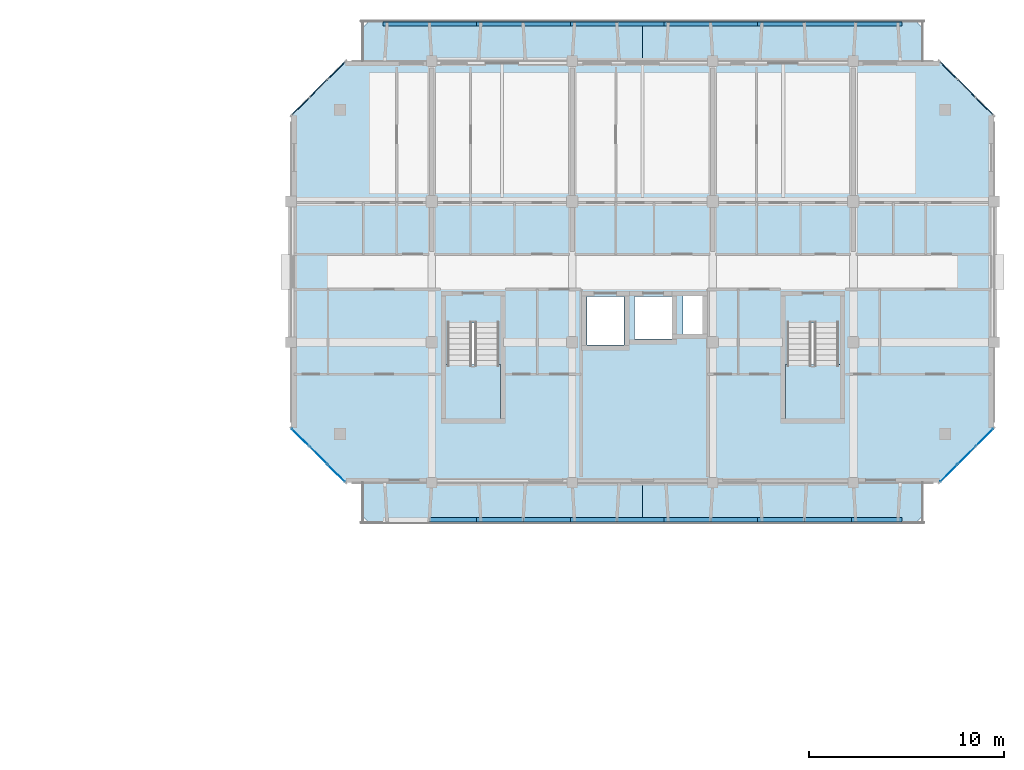
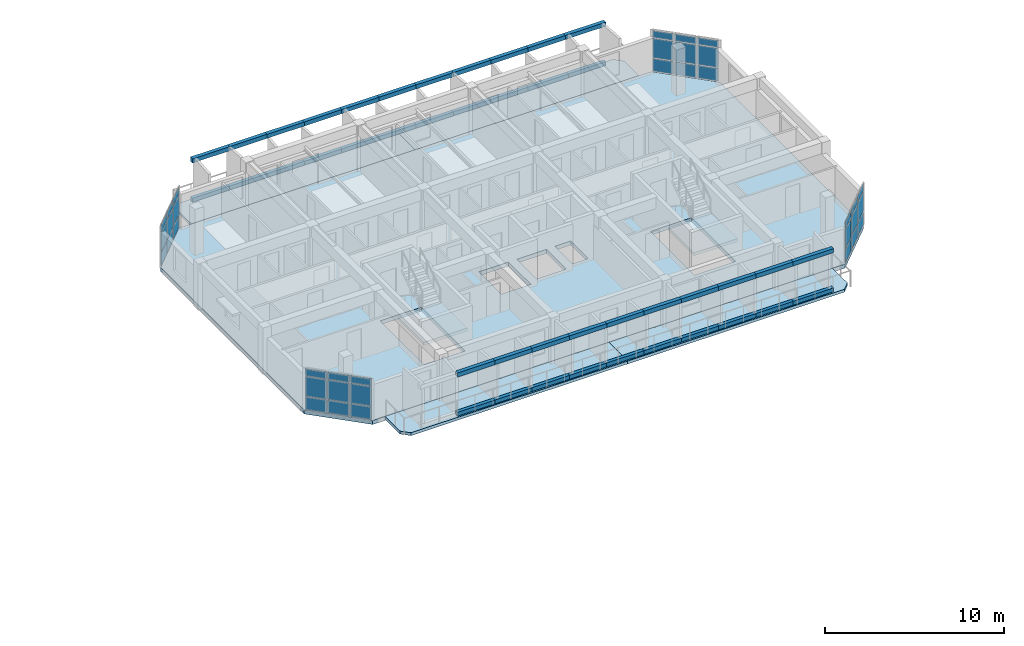
# One storey, part 24 of 64: 78 plates, 7 slabs, 6 elements without a shape of their own.
"""IFC4 building model written with IfcOpenShell, lengths in metres."""

from ifc_helpers import new_model, si_unit, direction, frame, origin, origin_2d, place, context, subcontext, project, spatial, polyline, rectangle, outline, extrude, material, layer, layer_set, type_object, element, aggregate, save


model = new_model("IFC4")

# Units and contexts
model_context = context("Model", 3, precision=1e-05, world=origin(), true_north=direction((0.0, 1.0)))
body_context = subcontext(model_context, "Body", "Model", "MODEL_VIEW")
ifc_project = project(units=[si_unit("LENGTHUNIT", "METRE"), si_unit("AREAUNIT", "SQUARE_METRE"), si_unit("VOLUMEUNIT", "CUBIC_METRE"), si_unit("PLANEANGLEUNIT", "RADIAN"), si_unit("MASSUNIT", "GRAM", prefix="KILO")], contexts=[model_context])

# Site, building, storey
site_placement = place(None, origin())
site = spatial("IfcSite", under=ifc_project, at=site_placement, CompositionType="ELEMENT")
building_placement = place(site_placement, origin())
building = spatial("IfcBuilding", under=site, at=building_placement, Name="Ochrevale Crest", CompositionType="ELEMENT")
storey_placement = place(building_placement, frame((0.0, 0.0, 8.699951171875)))
storey = spatial("IfcBuildingStorey", under=building, at=storey_placement, Name="L02", CompositionType="ELEMENT", Elevation=8.699951171875)

# Curtain wall, plates
ifc_material_1 = material(Name="Anodised aluminium 6063-T5", Category="aluminium")
ifc_layer_1 = layer(ifc_material_1, 0.14990234375)
ifc_layer_set_1 = layer_set([ifc_layer_1], Name="Anodised aluminium 6063-T5")
curtain_wall_type_1 = type_object("IfcCurtainWallType", Name="CW-WG-420x285", PredefinedType="NOTDEFINED", material=ifc_layer_set_1)
curtain_wall_1_placement = place(storey_placement, origin())
curtain_wall_1 = element("IfcCurtainWall", 1, at=curtain_wall_1_placement, inside=storey, type_object=curtain_wall_type_1, Name="Block D L02 chamfered corner wintergarden curtain wall 2", PredefinedType="NOTDEFINED")
ifc_material_2 = material(Name="Double-glazed low-E insulated glass unit", Category="glass")
ifc_layer_2 = layer(ifc_material_2, 0.028076171875)
ifc_layer_set_2 = layer_set([ifc_layer_2], Name="Double-glazed low-E insulated glass unit")
plate_type_1 = type_object("IfcPlateType", Name="CW-PNL-IGU28", PredefinedType="CURTAIN_PANEL", material=ifc_layer_set_2)
plate_1_placement = place(storey_placement, frame((163.280029296875, 72.47998046875, 0.06005859375), z_axis=(0.0, 0.0, 1.0), x_axis=(0.707106781187, 0.707106781187, 0.0)))
plate_1 = element("IfcPlate", 2, at=plate_1_placement, type_object=plate_type_1, Name="CW22 panel 1.1", PredefinedType="CURTAIN_PANEL", context=body_context, shape_type="SweptSolid", body=[
    extrude(rectangle(XDim=1.20751953125, YDim=0.028076171875, at=origin_2d()), origin(), (0.0, 0.0, 1.0), 0.860107421875),
])
plate_2_placement = place(storey_placement, frame((163.280029296875, 72.47998046875, 0.97998046875), z_axis=(0.0, 0.0, 1.0), x_axis=(0.707106781187, 0.707106781187, 0.0)))
plate_2 = element("IfcPlate", 3, at=plate_2_placement, type_object=plate_type_1, Name="CW22 panel 1.2", PredefinedType="CURTAIN_PANEL", context=body_context, shape_type="SweptSolid", body=[
    extrude(rectangle(XDim=1.20751953125, YDim=0.028076171875, at=origin_2d()), origin(), (0.0, 0.0, 1.0), 1.31494140625),
])
plate_3_placement = place(storey_placement, frame((163.280029296875, 72.47998046875, 2.35498046875), z_axis=(0.0, 0.0, 1.0), x_axis=(0.707106781187, 0.707106781187, 0.0)))
plate_3 = element("IfcPlate", 4, at=plate_3_placement, type_object=plate_type_1, Name="CW22 panel 1.3", PredefinedType="CURTAIN_PANEL", context=body_context, shape_type="SweptSolid", body=[
    extrude(rectangle(XDim=1.20751953125, YDim=0.028076171875, at=origin_2d()), origin(), (0.0, 0.0, 1.0), 0.4599609375),
])
plate_4_placement = place(storey_placement, frame((164.199951171875, 73.39990234375, 0.06005859375), z_axis=(0.0, 0.0, 1.0), x_axis=(0.707106781187, 0.707106781187, 0.0)))
plate_4 = element("IfcPlate", 5, at=plate_4_placement, type_object=plate_type_1, Name="CW22 panel 2.1", PredefinedType="CURTAIN_PANEL", context=body_context, shape_type="SweptSolid", body=[
    extrude(rectangle(XDim=1.244873046875, YDim=0.028076171875, at=origin_2d()), origin(), (0.0, 0.0, 1.0), 0.860107421875),
])
plate_5_placement = place(storey_placement, frame((164.199951171875, 73.39990234375, 0.97998046875), z_axis=(0.0, 0.0, 1.0), x_axis=(0.707106781187, 0.707106781187, 0.0)))
plate_5 = element("IfcPlate", 6, at=plate_5_placement, type_object=plate_type_1, Name="CW22 panel 2.2", PredefinedType="CURTAIN_PANEL", context=body_context, shape_type="SweptSolid", body=[
    extrude(rectangle(XDim=1.244873046875, YDim=0.028076171875, at=origin_2d()), origin(), (0.0, 0.0, 1.0), 1.31494140625),
])
plate_6_placement = place(storey_placement, frame((164.199951171875, 73.39990234375, 2.35498046875), z_axis=(0.0, 0.0, 1.0), x_axis=(0.707106781187, 0.707106781187, 0.0)))
plate_6 = element("IfcPlate", 7, at=plate_6_placement, type_object=plate_type_1, Name="CW22 panel 2.3", PredefinedType="CURTAIN_PANEL", context=body_context, shape_type="SweptSolid", body=[
    extrude(rectangle(XDim=1.244873046875, YDim=0.028076171875, at=origin_2d()), origin(), (0.0, 0.0, 1.0), 0.4599609375),
])
plate_7_placement = place(storey_placement, frame((165.1201171875, 74.320068359375, 0.06005859375), z_axis=(0.0, 0.0, 1.0), x_axis=(0.707106781187, 0.707106781187, 0.0)))
plate_7 = element("IfcPlate", 8, at=plate_7_placement, type_object=plate_type_1, Name="CW22 panel 3.1", PredefinedType="CURTAIN_PANEL", context=body_context, shape_type="SweptSolid", body=[
    extrude(rectangle(XDim=1.20751953125, YDim=0.028076171875, at=origin_2d()), origin(), (0.0, 0.0, 1.0), 0.860107421875),
])
plate_8_placement = place(storey_placement, frame((165.1201171875, 74.320068359375, 0.97998046875), z_axis=(0.0, 0.0, 1.0), x_axis=(0.707106781187, 0.707106781187, 0.0)))
plate_8 = element("IfcPlate", 9, at=plate_8_placement, type_object=plate_type_1, Name="CW22 panel 3.2", PredefinedType="CURTAIN_PANEL", context=body_context, shape_type="SweptSolid", body=[
    extrude(rectangle(XDim=1.20751953125, YDim=0.028076171875, at=origin_2d()), origin(), (0.0, 0.0, 1.0), 1.31494140625),
])
plate_9_placement = place(storey_placement, frame((165.1201171875, 74.320068359375, 2.35498046875), z_axis=(0.0, 0.0, 1.0), x_axis=(0.707106781187, 0.707106781187, 0.0)))
plate_9 = element("IfcPlate", 10, at=plate_9_placement, type_object=plate_type_1, Name="CW22 panel 3.3", PredefinedType="CURTAIN_PANEL", context=body_context, shape_type="SweptSolid", body=[
    extrude(rectangle(XDim=1.20751953125, YDim=0.028076171875, at=origin_2d()), origin(), (0.0, 0.0, 1.0), 0.4599609375),
])
aggregate(curtain_wall_1, [plate_1, plate_2, plate_3, plate_4, plate_5, plate_6, plate_7, plate_8, plate_9])

ifc_layer_3 = layer(ifc_material_1, 0.14990234375)
ifc_layer_set_3 = layer_set([ifc_layer_3], Name="Anodised aluminium 6063-T5")
curtain_wall_type_2 = type_object("IfcCurtainWallType", Name="CW-WG-240x285", PredefinedType="NOTDEFINED", material=ifc_layer_set_3)
curtain_wall_2_placement = place(storey_placement, origin())
curtain_wall_2 = element("IfcCurtainWall", 11, at=curtain_wall_2_placement, inside=storey, type_object=curtain_wall_type_2, Name="Block D L02 chamfered corner wintergarden curtain wall 8", PredefinedType="NOTDEFINED")
plate_10_placement = place(storey_placement, frame((130.079833984375, 74.320068359375, 0.06005859375), z_axis=(0.0, 0.0, 1.0), x_axis=(0.707106781187, -0.707106781187, 0.0)))
plate_10 = element("IfcPlate", 12, at=plate_10_placement, type_object=plate_type_1, Name="CW15 panel 1.1", PredefinedType="CURTAIN_PANEL", context=body_context, shape_type="SweptSolid", body=[
    extrude(rectangle(XDim=1.20751953125, YDim=0.028076171875, at=origin_2d()), origin(), (0.0, 0.0, 1.0), 0.860107421875),
])
plate_11_placement = place(storey_placement, frame((130.079833984375, 74.320068359375, 0.97998046875), z_axis=(0.0, 0.0, 1.0), x_axis=(0.707106781187, -0.707106781187, 0.0)))
plate_11 = element("IfcPlate", 13, at=plate_11_placement, type_object=plate_type_1, Name="CW15 panel 1.2", PredefinedType="CURTAIN_PANEL", context=body_context, shape_type="SweptSolid", body=[
    extrude(rectangle(XDim=1.20751953125, YDim=0.028076171875, at=origin_2d()), origin(), (0.0, 0.0, 1.0), 1.31494140625),
])
plate_12_placement = place(storey_placement, frame((130.079833984375, 74.320068359375, 2.35498046875), z_axis=(0.0, 0.0, 1.0), x_axis=(0.707106781187, -0.707106781187, 0.0)))
plate_12 = element("IfcPlate", 14, at=plate_12_placement, type_object=plate_type_1, Name="CW15 panel 1.3", PredefinedType="CURTAIN_PANEL", context=body_context, shape_type="SweptSolid", body=[
    extrude(rectangle(XDim=1.20751953125, YDim=0.028076171875, at=origin_2d()), origin(), (0.0, 0.0, 1.0), 0.4599609375),
])
plate_13_placement = place(storey_placement, frame((131.0, 73.39990234375, 0.06005859375), z_axis=(0.0, 0.0, 1.0), x_axis=(0.707106781187, -0.707106781187, 0.0)))
plate_13 = element("IfcPlate", 15, at=plate_13_placement, type_object=plate_type_1, Name="CW15 panel 2.1", PredefinedType="CURTAIN_PANEL", context=body_context, shape_type="SweptSolid", body=[
    extrude(rectangle(XDim=1.244873046875, YDim=0.028076171875, at=origin_2d()), origin(), (0.0, 0.0, 1.0), 0.860107421875),
])
plate_14_placement = place(storey_placement, frame((131.0, 73.39990234375, 0.97998046875), z_axis=(0.0, 0.0, 1.0), x_axis=(0.707106781187, -0.707106781187, 0.0)))
plate_14 = element("IfcPlate", 16, at=plate_14_placement, type_object=plate_type_1, Name="CW15 panel 2.2", PredefinedType="CURTAIN_PANEL", context=body_context, shape_type="SweptSolid", body=[
    extrude(rectangle(XDim=1.244873046875, YDim=0.028076171875, at=origin_2d()), origin(), (0.0, 0.0, 1.0), 1.31494140625),
])
plate_15_placement = place(storey_placement, frame((131.0, 73.39990234375, 2.35498046875), z_axis=(0.0, 0.0, 1.0), x_axis=(0.707106781187, -0.707106781187, 0.0)))
plate_15 = element("IfcPlate", 17, at=plate_15_placement, type_object=plate_type_1, Name="CW15 panel 2.3", PredefinedType="CURTAIN_PANEL", context=body_context, shape_type="SweptSolid", body=[
    extrude(rectangle(XDim=1.244873046875, YDim=0.028076171875, at=origin_2d()), origin(), (0.0, 0.0, 1.0), 0.4599609375),
])
plate_16_placement = place(storey_placement, frame((131.920166015625, 72.47998046875, 0.06005859375), z_axis=(0.0, 0.0, 1.0), x_axis=(0.707106781187, -0.707106781187, 0.0)))
plate_16 = element("IfcPlate", 18, at=plate_16_placement, type_object=plate_type_1, Name="CW15 panel 3.1", PredefinedType="CURTAIN_PANEL", context=body_context, shape_type="SweptSolid", body=[
    extrude(rectangle(XDim=1.20751953125, YDim=0.028076171875, at=origin_2d()), origin(), (0.0, 0.0, 1.0), 0.860107421875),
])
plate_17_placement = place(storey_placement, frame((131.920166015625, 72.47998046875, 0.97998046875), z_axis=(0.0, 0.0, 1.0), x_axis=(0.707106781187, -0.707106781187, 0.0)))
plate_17 = element("IfcPlate", 19, at=plate_17_placement, type_object=plate_type_1, Name="CW15 panel 3.2", PredefinedType="CURTAIN_PANEL", context=body_context, shape_type="SweptSolid", body=[
    extrude(rectangle(XDim=1.20751953125, YDim=0.028076171875, at=origin_2d()), origin(), (0.0, 0.0, 1.0), 1.31494140625),
])
plate_18_placement = place(storey_placement, frame((131.920166015625, 72.47998046875, 2.35498046875), z_axis=(0.0, 0.0, 1.0), x_axis=(0.707106781187, -0.707106781187, 0.0)))
plate_18 = element("IfcPlate", 20, at=plate_18_placement, type_object=plate_type_1, Name="CW15 panel 3.3", PredefinedType="CURTAIN_PANEL", context=body_context, shape_type="SweptSolid", body=[
    extrude(rectangle(XDim=1.20751953125, YDim=0.028076171875, at=origin_2d()), origin(), (0.0, 0.0, 1.0), 0.4599609375),
])
aggregate(curtain_wall_2, [plate_10, plate_11, plate_12, plate_13, plate_14, plate_15, plate_16, plate_17, plate_18])

ifc_layer_4 = layer(ifc_material_1, 0.14990234375)
ifc_layer_set_4 = layer_set([ifc_layer_4], Name="Anodised aluminium 6063-T5")
curtain_wall_type_3 = type_object("IfcCurtainWallType", Name="CW-WG-280x285", PredefinedType="NOTDEFINED", material=ifc_layer_set_4)
curtain_wall_3_placement = place(storey_placement, origin())
curtain_wall_3 = element("IfcCurtainWall", 21, at=curtain_wall_3_placement, inside=storey, type_object=curtain_wall_type_3, Name="Block D L02 chamfered corner wintergarden curtain wall 4", PredefinedType="NOTDEFINED")
ifc_material_3 = material(Name="Acoustic laminated low-E insulated glass unit", Category="glass")
ifc_layer_5 = layer(ifc_material_3, 0.0380859375)
ifc_layer_set_5 = layer_set([ifc_layer_5], Name="Acoustic laminated low-E insulated glass unit")
plate_type_2 = type_object("IfcPlateType", Name="CW-PNL-IGU38", PredefinedType="CURTAIN_PANEL", material=ifc_layer_set_5)
plate_19_placement = place(storey_placement, frame((165.1201171875, 91.280029296875, 0.06005859375), z_axis=(0.0, 0.0, 1.0), x_axis=(-0.707106781187, 0.707106781187, 0.0)))
plate_19 = element("IfcPlate", 22, at=plate_19_placement, type_object=plate_type_2, Name="CW16 panel 1.1", PredefinedType="CURTAIN_PANEL", context=body_context, shape_type="SweptSolid", body=[
    extrude(rectangle(XDim=1.20751953125, YDim=0.0380859375, at=origin_2d()), origin(), (0.0, 0.0, 1.0), 0.860107421875),
])
plate_20_placement = place(storey_placement, frame((165.1201171875, 91.280029296875, 0.97998046875), z_axis=(0.0, 0.0, 1.0), x_axis=(-0.707106781187, 0.707106781187, 0.0)))
plate_20 = element("IfcPlate", 23, at=plate_20_placement, type_object=plate_type_2, Name="CW16 panel 1.2", PredefinedType="CURTAIN_PANEL", context=body_context, shape_type="SweptSolid", body=[
    extrude(rectangle(XDim=1.20751953125, YDim=0.0380859375, at=origin_2d()), origin(), (0.0, 0.0, 1.0), 1.31494140625),
])
plate_21_placement = place(storey_placement, frame((165.1201171875, 91.280029296875, 2.35498046875), z_axis=(0.0, 0.0, 1.0), x_axis=(-0.707106781187, 0.707106781187, 0.0)))
plate_21 = element("IfcPlate", 24, at=plate_21_placement, type_object=plate_type_2, Name="CW16 panel 1.3", PredefinedType="CURTAIN_PANEL", context=body_context, shape_type="SweptSolid", body=[
    extrude(rectangle(XDim=1.20751953125, YDim=0.0380859375, at=origin_2d()), origin(), (0.0, 0.0, 1.0), 0.4599609375),
])
plate_22_placement = place(storey_placement, frame((164.199951171875, 92.199951171875, 0.06005859375), z_axis=(0.0, 0.0, 1.0), x_axis=(-0.707106781187, 0.707106781187, 0.0)))
plate_22 = element("IfcPlate", 25, at=plate_22_placement, type_object=plate_type_2, Name="CW16 panel 2.1", PredefinedType="CURTAIN_PANEL", context=body_context, shape_type="SweptSolid", body=[
    extrude(rectangle(XDim=1.244873046875, YDim=0.0380859375, at=origin_2d()), origin(), (0.0, 0.0, 1.0), 0.860107421875),
])
plate_23_placement = place(storey_placement, frame((164.199951171875, 92.199951171875, 0.97998046875), z_axis=(0.0, 0.0, 1.0), x_axis=(-0.707106781187, 0.707106781187, 0.0)))
plate_23 = element("IfcPlate", 26, at=plate_23_placement, type_object=plate_type_2, Name="CW16 panel 2.2", PredefinedType="CURTAIN_PANEL", context=body_context, shape_type="SweptSolid", body=[
    extrude(rectangle(XDim=1.244873046875, YDim=0.0380859375, at=origin_2d()), origin(), (0.0, 0.0, 1.0), 1.31494140625),
])
plate_24_placement = place(storey_placement, frame((164.199951171875, 92.199951171875, 2.35498046875), z_axis=(0.0, 0.0, 1.0), x_axis=(-0.707106781187, 0.707106781187, 0.0)))
plate_24 = element("IfcPlate", 27, at=plate_24_placement, type_object=plate_type_2, Name="CW16 panel 2.3", PredefinedType="CURTAIN_PANEL", context=body_context, shape_type="SweptSolid", body=[
    extrude(rectangle(XDim=1.244873046875, YDim=0.0380859375, at=origin_2d()), origin(), (0.0, 0.0, 1.0), 0.4599609375),
])
plate_25_placement = place(storey_placement, frame((163.280029296875, 93.1201171875, 0.06005859375), z_axis=(0.0, 0.0, 1.0), x_axis=(-0.707106781187, 0.707106781187, 0.0)))
plate_25 = element("IfcPlate", 28, at=plate_25_placement, type_object=plate_type_2, Name="CW16 panel 3.1", PredefinedType="CURTAIN_PANEL", context=body_context, shape_type="SweptSolid", body=[
    extrude(rectangle(XDim=1.20751953125, YDim=0.0380859375, at=origin_2d()), origin(), (0.0, 0.0, 1.0), 0.860107421875),
])
plate_26_placement = place(storey_placement, frame((163.280029296875, 93.1201171875, 0.97998046875), z_axis=(0.0, 0.0, 1.0), x_axis=(-0.707106781187, 0.707106781187, 0.0)))
plate_26 = element("IfcPlate", 29, at=plate_26_placement, type_object=plate_type_2, Name="CW16 panel 3.2", PredefinedType="CURTAIN_PANEL", context=body_context, shape_type="SweptSolid", body=[
    extrude(rectangle(XDim=1.20751953125, YDim=0.0380859375, at=origin_2d()), origin(), (0.0, 0.0, 1.0), 1.31494140625),
])
plate_27_placement = place(storey_placement, frame((163.280029296875, 93.1201171875, 2.35498046875), z_axis=(0.0, 0.0, 1.0), x_axis=(-0.707106781187, 0.707106781187, 0.0)))
plate_27 = element("IfcPlate", 30, at=plate_27_placement, type_object=plate_type_2, Name="CW16 panel 3.3", PredefinedType="CURTAIN_PANEL", context=body_context, shape_type="SweptSolid", body=[
    extrude(rectangle(XDim=1.20751953125, YDim=0.0380859375, at=origin_2d()), origin(), (0.0, 0.0, 1.0), 0.4599609375),
])
aggregate(curtain_wall_3, [plate_19, plate_20, plate_21, plate_22, plate_23, plate_24, plate_25, plate_26, plate_27])

ifc_layer_6 = layer(ifc_material_1, 0.14990234375)
ifc_layer_set_6 = layer_set([ifc_layer_6], Name="Anodised aluminium 6063-T5")
curtain_wall_type_4 = type_object("IfcCurtainWallType", Name="CW-WG-360x285", PredefinedType="NOTDEFINED", material=ifc_layer_set_6)
curtain_wall_4_placement = place(storey_placement, origin())
curtain_wall_4 = element("IfcCurtainWall", 31, at=curtain_wall_4_placement, inside=storey, type_object=curtain_wall_type_4, Name="Block D L02 chamfered corner wintergarden curtain wall 6", PredefinedType="NOTDEFINED")
plate_28_placement = place(storey_placement, frame((131.920166015625, 93.1201171875, 0.06005859375), z_axis=(0.0, 0.0, 1.0), x_axis=(-0.707106781187, -0.707106781187, 0.0)))
plate_28 = element("IfcPlate", 32, at=plate_28_placement, type_object=plate_type_2, Name="CW18 panel 1.1", PredefinedType="CURTAIN_PANEL", context=body_context, shape_type="SweptSolid", body=[
    extrude(rectangle(XDim=1.20751953125, YDim=0.0380859375, at=origin_2d()), origin(), (0.0, 0.0, 1.0), 0.860107421875),
])
plate_29_placement = place(storey_placement, frame((131.920166015625, 93.1201171875, 0.97998046875), z_axis=(0.0, 0.0, 1.0), x_axis=(-0.707106781187, -0.707106781187, 0.0)))
plate_29 = element("IfcPlate", 33, at=plate_29_placement, type_object=plate_type_2, Name="CW18 panel 1.2", PredefinedType="CURTAIN_PANEL", context=body_context, shape_type="SweptSolid", body=[
    extrude(rectangle(XDim=1.20751953125, YDim=0.0380859375, at=origin_2d()), origin(), (0.0, 0.0, 1.0), 1.31494140625),
])
plate_30_placement = place(storey_placement, frame((131.920166015625, 93.1201171875, 2.35498046875), z_axis=(0.0, 0.0, 1.0), x_axis=(-0.707106781187, -0.707106781187, 0.0)))
plate_30 = element("IfcPlate", 34, at=plate_30_placement, type_object=plate_type_2, Name="CW18 panel 1.3", PredefinedType="CURTAIN_PANEL", context=body_context, shape_type="SweptSolid", body=[
    extrude(rectangle(XDim=1.20751953125, YDim=0.0380859375, at=origin_2d()), origin(), (0.0, 0.0, 1.0), 0.4599609375),
])
plate_31_placement = place(storey_placement, frame((131.0, 92.199951171875, 0.06005859375), z_axis=(0.0, 0.0, 1.0), x_axis=(-0.707106781187, -0.707106781187, 0.0)))
plate_31 = element("IfcPlate", 35, at=plate_31_placement, type_object=plate_type_2, Name="CW18 panel 2.1", PredefinedType="CURTAIN_PANEL", context=body_context, shape_type="SweptSolid", body=[
    extrude(rectangle(XDim=1.244873046875, YDim=0.0380859375, at=origin_2d()), origin(), (0.0, 0.0, 1.0), 0.860107421875),
])
plate_32_placement = place(storey_placement, frame((131.0, 92.199951171875, 0.97998046875), z_axis=(0.0, 0.0, 1.0), x_axis=(-0.707106781187, -0.707106781187, 0.0)))
plate_32 = element("IfcPlate", 36, at=plate_32_placement, type_object=plate_type_2, Name="CW18 panel 2.2", PredefinedType="CURTAIN_PANEL", context=body_context, shape_type="SweptSolid", body=[
    extrude(rectangle(XDim=1.244873046875, YDim=0.0380859375, at=origin_2d()), origin(), (0.0, 0.0, 1.0), 1.31494140625),
])
plate_33_placement = place(storey_placement, frame((131.0, 92.199951171875, 2.35498046875), z_axis=(0.0, 0.0, 1.0), x_axis=(-0.707106781187, -0.707106781187, 0.0)))
plate_33 = element("IfcPlate", 37, at=plate_33_placement, type_object=plate_type_2, Name="CW18 panel 2.3", PredefinedType="CURTAIN_PANEL", context=body_context, shape_type="SweptSolid", body=[
    extrude(rectangle(XDim=1.244873046875, YDim=0.0380859375, at=origin_2d()), origin(), (0.0, 0.0, 1.0), 0.4599609375),
])
plate_34_placement = place(storey_placement, frame((130.079833984375, 91.280029296875, 0.06005859375), z_axis=(0.0, 0.0, 1.0), x_axis=(-0.707106781187, -0.707106781187, 0.0)))
plate_34 = element("IfcPlate", 38, at=plate_34_placement, type_object=plate_type_2, Name="CW18 panel 3.1", PredefinedType="CURTAIN_PANEL", context=body_context, shape_type="SweptSolid", body=[
    extrude(rectangle(XDim=1.20751953125, YDim=0.0380859375, at=origin_2d()), origin(), (0.0, 0.0, 1.0), 0.860107421875),
])
plate_35_placement = place(storey_placement, frame((130.079833984375, 91.280029296875, 0.97998046875), z_axis=(0.0, 0.0, 1.0), x_axis=(-0.707106781187, -0.707106781187, 0.0)))
plate_35 = element("IfcPlate", 39, at=plate_35_placement, type_object=plate_type_2, Name="CW18 panel 3.2", PredefinedType="CURTAIN_PANEL", context=body_context, shape_type="SweptSolid", body=[
    extrude(rectangle(XDim=1.20751953125, YDim=0.0380859375, at=origin_2d()), origin(), (0.0, 0.0, 1.0), 1.31494140625),
])
plate_36_placement = place(storey_placement, frame((130.079833984375, 91.280029296875, 2.35498046875), z_axis=(0.0, 0.0, 1.0), x_axis=(-0.707106781187, -0.707106781187, 0.0)))
plate_36 = element("IfcPlate", 40, at=plate_36_placement, type_object=plate_type_2, Name="CW18 panel 3.3", PredefinedType="CURTAIN_PANEL", context=body_context, shape_type="SweptSolid", body=[
    extrude(rectangle(XDim=1.20751953125, YDim=0.0380859375, at=origin_2d()), origin(), (0.0, 0.0, 1.0), 0.4599609375),
])
aggregate(curtain_wall_4, [plate_28, plate_29, plate_30, plate_31, plate_32, plate_33, plate_34, plate_35, plate_36])

# Plates
ifc_material_4 = material(Name="Precast concrete C40/50", Category="concrete")
ifc_layer_7 = layer(ifc_material_4, 0.06005859375)
ifc_layer_set_7 = layer_set([ifc_layer_7], Name="Precast concrete C40/50")
plate_type_3 = type_object("IfcPlateType", Name="PLT-HC-HEAD-60", PredefinedType="USERDEFINED", material=ifc_layer_set_7)
for number, where, z_axis, x_axis, name in (
    (41, (138.0, 70.10009765625, 2.669921875), (0.0, 0.0, 1.0), (1.0, 0.0, 0.0), "Block D L02 S honeycomb arched lintel fascia 2"),
    (42, (140.39990234375, 70.10009765625, 2.669921875), (0.0, 0.0, 1.0), (1.0, 0.0, 0.0), "Block D L02 S honeycomb arched lintel fascia 3"),
    (43, (142.800048828125, 70.10009765625, 2.669921875), (0.0, 0.0, 1.0), (1.0, 0.0, 0.0), "Block D L02 S honeycomb arched lintel fascia 4"),
    (44, (145.199951171875, 70.10009765625, 2.669921875), (0.0, 0.0, 1.0), (1.0, 0.0, 0.0), "Block D L02 S honeycomb arched lintel fascia 5"),
    (45, (147.60009765625, 70.10009765625, 2.669921875), (0.0, 0.0, 1.0), (1.0, 0.0, 0.0), "Block D L02 S honeycomb arched lintel fascia 6"),
    (46, (150.0, 70.10009765625, 2.669921875), (0.0, 0.0, 1.0), (1.0, 0.0, 0.0), "Block D L02 S honeycomb arched lintel fascia 7"),
    (47, (152.39990234375, 70.10009765625, 2.669921875), (0.0, 0.0, 1.0), (1.0, 0.0, 0.0), "Block D L02 S honeycomb arched lintel fascia 8"),
    (48, (154.800048828125, 70.10009765625, 2.669921875), (0.0, 0.0, 1.0), (1.0, 0.0, 0.0), "Block D L02 S honeycomb arched lintel fascia 9"),
    (49, (157.199951171875, 70.10009765625, 2.669921875), (0.0, 0.0, 1.0), (1.0, 0.0, 0.0), "Block D L02 S honeycomb arched lintel fascia 10"),
    (50, (159.60009765625, 70.10009765625, 2.669921875), (0.0, 0.0, 1.0), (1.0, 0.0, 0.0), "Block D L02 S honeycomb arched lintel fascia 11"),
    (51, (135.60009765625, 95.5, 2.669921875), (0.0, 0.0, 1.0), (1.0, 0.0, 0.0), "Block D L02 N honeycomb arched lintel fascia 1"),
    (52, (138.0, 95.5, 2.669921875), (0.0, 0.0, 1.0), (1.0, 0.0, 0.0), "Block D L02 N honeycomb arched lintel fascia 2"),
    (53, (140.39990234375, 95.5, 2.669921875), (0.0, 0.0, 1.0), (1.0, 0.0, 0.0), "Block D L02 N honeycomb arched lintel fascia 3"),
    (54, (142.800048828125, 95.5, 2.669921875), (0.0, 0.0, 1.0), (1.0, 0.0, 0.0), "Block D L02 N honeycomb arched lintel fascia 4"),
    (55, (145.199951171875, 95.5, 2.669921875), (0.0, 0.0, 1.0), (1.0, 0.0, 0.0), "Block D L02 N honeycomb arched lintel fascia 5"),
    (56, (147.60009765625, 95.5, 2.669921875), (0.0, 0.0, 1.0), (1.0, 0.0, 0.0), "Block D L02 N honeycomb arched lintel fascia 6"),
    (57, (150.0, 95.5, 2.669921875), (0.0, 0.0, 1.0), (1.0, 0.0, 0.0), "Block D L02 N honeycomb arched lintel fascia 7"),
    (58, (152.39990234375, 95.5, 2.669921875), (0.0, 0.0, 1.0), (1.0, 0.0, 0.0), "Block D L02 N honeycomb arched lintel fascia 8"),
    (59, (154.800048828125, 95.5, 2.669921875), (0.0, 0.0, 1.0), (1.0, 0.0, 0.0), "Block D L02 N honeycomb arched lintel fascia 9"),
    (60, (157.199951171875, 95.5, 2.669921875), (0.0, 0.0, 1.0), (1.0, 0.0, 0.0), "Block D L02 N honeycomb arched lintel fascia 10"),
    (61, (159.60009765625, 95.5, 2.669921875), (0.0, 0.0, 1.0), (1.0, 0.0, 0.0), "Block D L02 N honeycomb arched lintel fascia 11"),
):
    element("IfcPlate", number, at=place(storey_placement, frame(where, z_axis=z_axis, x_axis=x_axis)), inside=storey, type_object=plate_type_3, Name=name, ObjectType="FACADE FASCIA PLATE", PredefinedType="USERDEFINED", context=body_context, shape_type="SweptSolid", body=[
        extrude(rectangle(XDim=2.60009765625, YDim=0.239990234375, at=origin_2d()), origin(), (0.0, 0.0, 1.0), 0.280029296875),
    ])
ifc_layer_8 = layer(ifc_material_4, 0.044921875)
ifc_layer_set_8 = layer_set([ifc_layer_8], Name="Precast concrete C40/50")
plate_type_4 = type_object("IfcPlateType", Name="PLT-HC-SILL-45", PredefinedType="USERDEFINED", material=ifc_layer_set_8)
for number, where, z_axis, x_axis, name in (
    (62, (138.0, 70.10009765625, 0.0), (0.0, 0.0, 1.0), (1.0, 0.0, 0.0), "Block D L02 S honeycomb sill coping plate 2"),
    (63, (140.39990234375, 70.10009765625, 0.0), (0.0, 0.0, 1.0), (1.0, 0.0, 0.0), "Block D L02 S honeycomb sill coping plate 3"),
    (64, (142.800048828125, 70.10009765625, 0.0), (0.0, 0.0, 1.0), (1.0, 0.0, 0.0), "Block D L02 S honeycomb sill coping plate 4"),
    (65, (145.199951171875, 70.10009765625, 0.0), (0.0, 0.0, 1.0), (1.0, 0.0, 0.0), "Block D L02 S honeycomb sill coping plate 5"),
    (66, (147.60009765625, 70.10009765625, 0.0), (0.0, 0.0, 1.0), (1.0, 0.0, 0.0), "Block D L02 S honeycomb sill coping plate 6"),
    (67, (150.0, 70.10009765625, 0.0), (0.0, 0.0, 1.0), (1.0, 0.0, 0.0), "Block D L02 S honeycomb sill coping plate 7"),
    (68, (152.39990234375, 70.10009765625, 0.0), (0.0, 0.0, 1.0), (1.0, 0.0, 0.0), "Block D L02 S honeycomb sill coping plate 8"),
    (69, (154.800048828125, 70.10009765625, 0.0), (0.0, 0.0, 1.0), (1.0, 0.0, 0.0), "Block D L02 S honeycomb sill coping plate 9"),
    (70, (157.199951171875, 70.10009765625, 0.0), (0.0, 0.0, 1.0), (1.0, 0.0, 0.0), "Block D L02 S honeycomb sill coping plate 10"),
    (71, (159.60009765625, 70.10009765625, 0.0), (0.0, 0.0, 1.0), (1.0, 0.0, 0.0), "Block D L02 S honeycomb sill coping plate 11"),
    (72, (135.60009765625, 95.5, 0.0), (0.0, 0.0, 1.0), (1.0, 0.0, 0.0), "Block D L02 N honeycomb sill coping plate 1"),
    (73, (138.0, 95.5, 0.0), (0.0, 0.0, 1.0), (1.0, 0.0, 0.0), "Block D L02 N honeycomb sill coping plate 2"),
    (74, (140.39990234375, 95.5, 0.0), (0.0, 0.0, 1.0), (1.0, 0.0, 0.0), "Block D L02 N honeycomb sill coping plate 3"),
    (75, (142.800048828125, 95.5, 0.0), (0.0, 0.0, 1.0), (1.0, 0.0, 0.0), "Block D L02 N honeycomb sill coping plate 4"),
    (76, (145.199951171875, 95.5, 0.0), (0.0, 0.0, 1.0), (1.0, 0.0, 0.0), "Block D L02 N honeycomb sill coping plate 5"),
    (77, (147.60009765625, 95.5, 0.0), (0.0, 0.0, 1.0), (1.0, 0.0, 0.0), "Block D L02 N honeycomb sill coping plate 6"),
    (78, (150.0, 95.5, 0.0), (0.0, 0.0, 1.0), (1.0, 0.0, 0.0), "Block D L02 N honeycomb sill coping plate 7"),
    (79, (152.39990234375, 95.5, 0.0), (0.0, 0.0, 1.0), (1.0, 0.0, 0.0), "Block D L02 N honeycomb sill coping plate 8"),
    (80, (154.800048828125, 95.5, 0.0), (0.0, 0.0, 1.0), (1.0, 0.0, 0.0), "Block D L02 N honeycomb sill coping plate 9"),
    (81, (157.199951171875, 95.5, 0.0), (0.0, 0.0, 1.0), (1.0, 0.0, 0.0), "Block D L02 N honeycomb sill coping plate 10"),
    (82, (159.60009765625, 95.5, 0.0), (0.0, 0.0, 1.0), (1.0, 0.0, 0.0), "Block D L02 N honeycomb sill coping plate 11"),
):
    element("IfcPlate", number, at=place(storey_placement, frame(where, z_axis=z_axis, x_axis=x_axis)), inside=storey, type_object=plate_type_4, Name=name, ObjectType="SILL COPING PLATE", PredefinedType="USERDEFINED", context=body_context, shape_type="SweptSolid", body=[
        extrude(rectangle(XDim=2.60009765625, YDim=0.219970703125, at=origin_2d()), origin(), (0.0, 0.0, 1.0), 0.260009765625),
    ])

# Slabs
ifc_layer_9 = layer(ifc_material_4, 0.199951171875)
ifc_layer_set_9 = layer_set([ifc_layer_9], Name="Precast concrete C40/50")
slab_type_1 = type_object("IfcSlabType", Name="SLB-BAL-200", PredefinedType="FLOOR", material=ifc_layer_set_9)
slab_1_placement = place(storey_placement, frame((0.0, 0.0, -0.199951171875)))
element("IfcSlab", 83, at=slab_1_placement, inside=storey, type_object=slab_type_1, Name="Block D L02 S1 precast loggia balcony slab", PredefinedType="FLOOR", context=body_context, shape_type="SweptSolid", body=[
    extrude(outline(polyline([(133.64990234375, 69.89990234375), (147.60009765625, 69.89990234375), (147.60009765625, 72.0), (133.199951171875, 72.0), (133.199951171875, 70.35009765625), (133.64990234375, 69.89990234375)])), origin(), (0.0, 0.0, 1.0), 0.199951171875),
])
slab_2_placement = place(storey_placement, frame((0.0, 0.0, -0.199951171875)))
element("IfcSlab", 84, at=slab_2_placement, inside=storey, type_object=slab_type_1, Name="Block D L02 S2 precast loggia balcony slab", PredefinedType="FLOOR", context=body_context, shape_type="SweptSolid", body=[
    extrude(outline(polyline([(147.60009765625, 69.89990234375), (161.550048828125, 69.89990234375), (162.0, 70.35009765625), (162.0, 72.0), (147.60009765625, 72.0), (147.60009765625, 69.89990234375)])), origin(), (0.0, 0.0, 1.0), 0.199951171875),
])
slab_3_placement = place(storey_placement, frame((0.0, 0.0, -0.199951171875)))
element("IfcSlab", 85, at=slab_3_placement, inside=storey, type_object=slab_type_1, Name="Block D L02 N1 precast loggia balcony slab", PredefinedType="FLOOR", context=body_context, shape_type="SweptSolid", body=[
    extrude(outline(polyline([(133.199951171875, 93.60009765625), (147.60009765625, 93.60009765625), (147.60009765625, 95.699951171875), (133.64990234375, 95.699951171875), (133.199951171875, 95.25), (133.199951171875, 93.60009765625)])), origin(), (0.0, 0.0, 1.0), 0.199951171875),
])
slab_4_placement = place(storey_placement, frame((0.0, 0.0, -0.199951171875)))
element("IfcSlab", 86, at=slab_4_placement, inside=storey, type_object=slab_type_1, Name="Block D L02 N2 precast loggia balcony slab", PredefinedType="FLOOR", context=body_context, shape_type="SweptSolid", body=[
    extrude(outline(polyline([(147.60009765625, 93.60009765625), (162.0, 93.60009765625), (162.0, 95.25), (161.550048828125, 95.699951171875), (147.60009765625, 95.699951171875), (147.60009765625, 93.60009765625)])), origin(), (0.0, 0.0, 1.0), 0.199951171875),
])
ifc_layer_10 = layer(ifc_material_4, 0.27490234375)
ifc_layer_set_10 = layer_set([ifc_layer_10], Name="Precast concrete C40/50")
slab_type_2 = type_object("IfcSlabType", Name="SLB-RES-275", PredefinedType="FLOOR", material=ifc_layer_set_10)
slab_5_placement = place(storey_placement, frame((0.0, 0.0, -0.27490234375)))
element("IfcSlab", 87, at=slab_5_placement, inside=storey, type_object=slab_type_2, Name="Block D L02 composite hollowcore floor slab", PredefinedType="FLOOR", context=body_context, shape_type="SweptSolid", body=[
    extrude(outline(polyline([(132.39990234375, 72.0), (162.800048828125, 72.0), (165.60009765625, 74.800048828125), (165.60009765625, 90.800048828125), (162.800048828125, 93.60009765625), (132.39990234375, 93.60009765625), (129.60009765625, 90.800048828125), (129.60009765625, 74.800048828125), (132.39990234375, 72.0)]), holes=[polyline([(137.60009765625, 80.175048828125), (137.60009765625, 75.27490234375), (140.25, 75.27490234375), (140.25, 80.175048828125), (137.60009765625, 80.175048828125)]), polyline([(155.0, 80.175048828125), (155.0, 75.27490234375), (157.64990234375, 75.27490234375), (157.64990234375, 80.175048828125), (155.0, 80.175048828125)]), polyline([(144.75, 79.050048828125), (146.64990234375, 79.050048828125), (146.64990234375, 81.550048828125), (144.75, 81.550048828125), (144.75, 79.050048828125)]), polyline([(147.199951171875, 79.35009765625), (149.10009765625, 79.35009765625), (149.10009765625, 81.550048828125), (147.199951171875, 81.550048828125), (147.199951171875, 79.35009765625)]), polyline([(149.669921875, 79.6201171875), (150.679931640625, 79.6201171875), (150.679931640625, 81.580078125), (149.669921875, 81.580078125), (149.669921875, 79.6201171875)])]), origin(), (0.0, 0.0, 1.0), 0.27490234375),
])

# Stair, slab
stair_type = type_object("IfcStairType", Name="ST-CORE-DOG", PredefinedType="HALF_TURN_STAIR", material=ifc_material_4)
stair_1_placement = place(storey_placement, origin())
stair_1 = element("IfcStair", 88, at=stair_1_placement, inside=storey, type_object=stair_type, Name="L02 Block D Fire Stair 1", PredefinedType="HALF_TURN_STAIR")
ifc_layer_11 = layer(ifc_material_4, 0.199951171875)
ifc_layer_set_11 = layer_set([ifc_layer_11], Name="Precast concrete C40/50")
slab_type_3 = type_object("IfcSlabType", Name="SLB-ST-LAND", PredefinedType="LANDING", material=ifc_layer_set_11)
slab_6_placement = place(storey_placement, frame((0.0, 0.0, 1.375)))
slab_6 = element("IfcSlab", 89, at=slab_6_placement, type_object=slab_type_3, Name="ST-D1 landing 1", PredefinedType="LANDING", context=body_context, shape_type="SweptSolid", body=[
    extrude(outline(polyline([(137.52001953125, 78.06494140625), (137.52001953125, 75.195068359375), (140.330078125, 75.195068359375), (140.330078125, 78.06494140625), (137.52001953125, 78.06494140625)])), origin(), (0.0, 0.0, 1.0), 0.199951171875),
])
aggregate(stair_1, [slab_6])

stair_2_placement = place(storey_placement, origin())
stair_2 = element("IfcStair", 90, at=stair_2_placement, inside=storey, type_object=stair_type, Name="L02 Block D Fire Stair 2", PredefinedType="HALF_TURN_STAIR")
slab_7_placement = place(storey_placement, frame((0.0, 0.0, 1.375)))
slab_7 = element("IfcSlab", 91, at=slab_7_placement, type_object=slab_type_3, Name="ST-D2 landing 1", PredefinedType="LANDING", context=body_context, shape_type="SweptSolid", body=[
    extrude(outline(polyline([(154.919921875, 78.06494140625), (154.919921875, 75.195068359375), (157.72998046875, 75.195068359375), (157.72998046875, 78.06494140625), (154.919921875, 78.06494140625)])), origin(), (0.0, 0.0, 1.0), 0.199951171875),
])
aggregate(stair_2, [slab_7])

save(model, "model.ifc")
